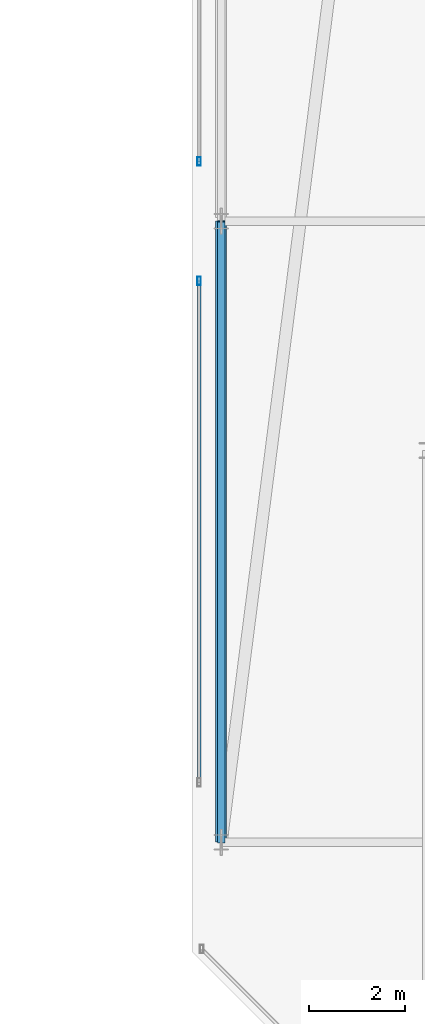
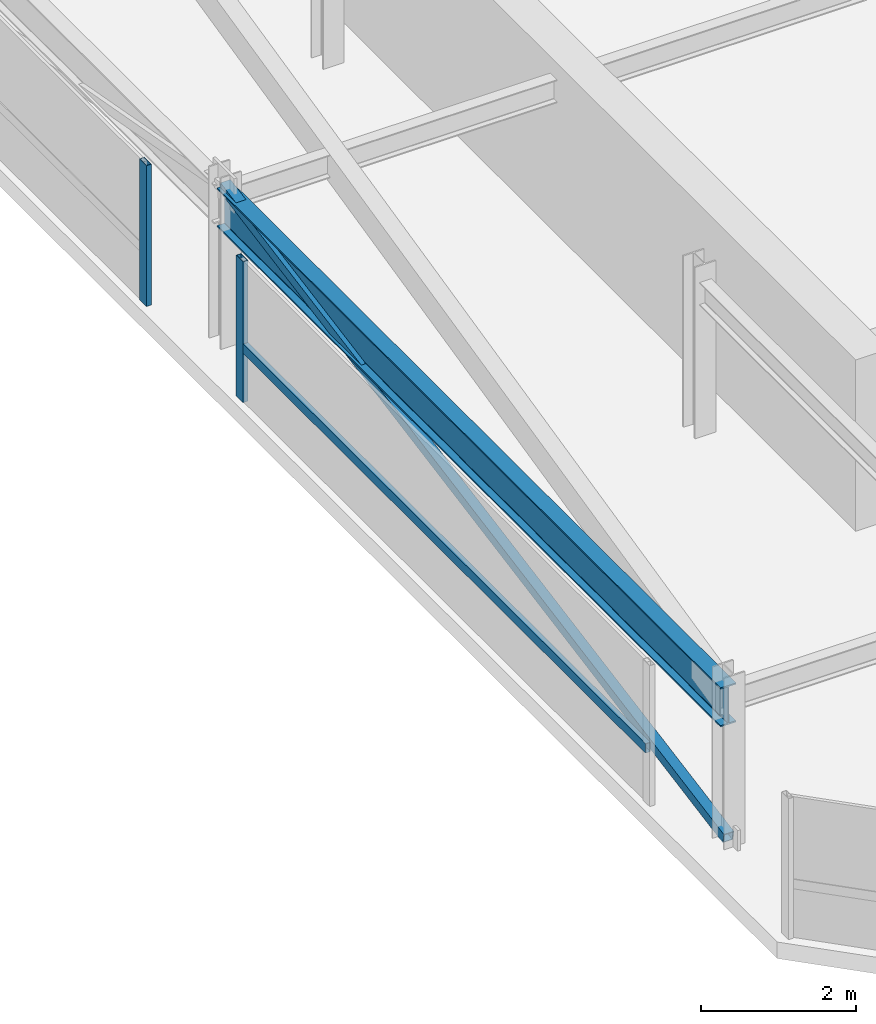
# One storey, part 22 of 44: 4 members, 1 beam, 2 elements without a shape of their own.
"""IFC4 building model written with IfcOpenShell, lengths in metres."""

from ifc_helpers import new_model, si_unit, direction, frame, origin, origin_2d, place, context, subcontext, project, spatial, hollow_rectangle, i_section, extrude, material, material_profile, profile_set, type_object, element, aggregate, save


model = new_model("IFC4")

# Units and contexts
model_context = context("Model", 3, precision=1e-05, world=origin(), true_north=direction((0.0, 1.0)))
body_context = subcontext(model_context, "Body", "Model", "MODEL_VIEW")
ifc_project = project(units=[si_unit("LENGTHUNIT", "METRE"), si_unit("AREAUNIT", "SQUARE_METRE"), si_unit("VOLUMEUNIT", "CUBIC_METRE"), si_unit("PLANEANGLEUNIT", "RADIAN"), si_unit("MASSUNIT", "GRAM", prefix="KILO")], contexts=[model_context])

# Site, building, storey
site_placement = place(None, origin())
site = spatial("IfcSite", under=ifc_project, at=site_placement, CompositionType="ELEMENT")
building_placement = place(site_placement, origin())
building = spatial("IfcBuilding", under=site, at=building_placement, Name="Thornwick Lancets Civic Towers", CompositionType="ELEMENT")
storey_placement = place(building_placement, frame((0.0, 0.0, 294.89990234375)))
storey = spatial("IfcBuildingStorey", under=building, at=storey_placement, Name="C06", CompositionType="ELEMENT", Elevation=294.89990234375)

# Beam
ifc_material_1 = material(Name="Steel S355JR", Category="steel")
ifc_material_profile_1 = material_profile(ifc_material_1, i_section(OverallWidth=0.230224609375, OverallDepth=0.6171875, WebThickness=0.01318359375, FlangeThickness=0.022216796875, FilletRadius=0.0126953125, at=origin_2d()), Name="UKB 610x229x140")
ifc_profile_set_1 = profile_set([ifc_material_profile_1], Name="Steel S355JR")
beam_type = type_object("IfcBeamType", Name="BM_GIRD_610_140", PredefinedType="BEAM", material=ifc_profile_set_1)
beam_placement = place(storey_placement, frame((71.199951171875, 14.0, 2.131591796875), z_axis=(0.0, 1.0, 0.0), x_axis=(-1.0, 0.0, 0.0)))
element("IfcBeam", 1, at=beam_placement, inside=storey, type_object=beam_type, Name="BM-SPINE-C06-B-6-7", PredefinedType="BEAM", context=body_context, shape_type="SweptSolid", body=[
    extrude(i_section(OverallWidth=0.230224609375, OverallDepth=0.6171875, WebThickness=0.01318359375, FlangeThickness=0.022216796875, FilletRadius=0.0126953125, at=origin_2d()), origin(), (0.0, 0.0, 1.0), 13.0),
])

# Curtain wall, member
ifc_material_2 = material(Name="Crown ring acoustic-louvre and glazing screen wall", Category="glass")
curtain_wall_type = type_object("IfcCurtainWallType", Name="CW_SYS_07", PredefinedType="NOTDEFINED", material=ifc_material_2)
curtain_wall_1_placement = place(storey_placement, origin())
curtain_wall_1 = element("IfcCurtainWall", 2, at=curtain_wall_1_placement, inside=storey, type_object=curtain_wall_type, Name="C06 Curtain Wall CW-C06-B-E6-S2", PredefinedType="NOTDEFINED")
ifc_material_3 = material(Name="Thermally broken bronze aluminium S355", Category="steel")
ifc_material_profile_2 = material_profile(ifc_material_3, hollow_rectangle(XDim=0.074951171875, YDim=0.179931640625, WallThickness=0.006103515625, at=origin_2d()), Name="RHS 180x75x6")
ifc_profile_set_2 = profile_set([ifc_material_profile_2], Name="Thermally broken bronze aluminium S355")
member_type_1 = type_object("IfcMemberType", Name="CW_MUL_180", PredefinedType="MULLION", material=ifc_profile_set_2)
member_1_placement = place(storey_placement, frame((70.7353515625, 28.25, 0.0), z_axis=(0.0, 0.0, 1.0), x_axis=(1.0, 0.0, 0.0)))
member_1 = element("IfcMember", 3, at=member_1_placement, type_object=member_type_1, Name="CW-C06-B-E6-S2 Mullion 1", PredefinedType="MULLION", context=body_context, shape_type="SweptSolid", body=[
    extrude(hollow_rectangle(XDim=0.074951171875, YDim=0.179931640625, WallThickness=0.006103515625, at=origin_2d()), origin(), (0.0, 0.0, 1.0), 2.22021484375),
])
aggregate(curtain_wall_1, [member_1])

# Curtain wall, members
curtain_wall_2_placement = place(storey_placement, origin())
curtain_wall_2 = element("IfcCurtainWall", 4, at=curtain_wall_2_placement, inside=storey, type_object=curtain_wall_type, Name="C06 Curtain Wall CW-C06-B-E6-S3", PredefinedType="NOTDEFINED")
member_2_placement = place(storey_placement, frame((70.7353515625, 25.75, 0.0), z_axis=(0.0, 0.0, 1.0), x_axis=(1.0, 0.0, 0.0)))
member_2 = element("IfcMember", 5, at=member_2_placement, type_object=member_type_1, Name="CW-C06-B-E6-S3 Mullion 0", PredefinedType="MULLION", context=body_context, shape_type="SweptSolid", body=[
    extrude(hollow_rectangle(XDim=0.074951171875, YDim=0.179931640625, WallThickness=0.006103515625, at=origin_2d()), origin(), (0.0, 0.0, 1.0), 2.22021484375),
])
ifc_material_profile_3 = material_profile(ifc_material_3, hollow_rectangle(XDim=0.074951171875, YDim=0.14990234375, WallThickness=0.0048828125, at=origin_2d()), Name="RHS 150x75x5")
ifc_profile_set_3 = profile_set([ifc_material_profile_3], Name="Thermally broken bronze aluminium S355")
member_type_2 = type_object("IfcMemberType", Name="CW_TRN_150", PredefinedType="USERDEFINED", material=ifc_profile_set_3)
member_3_placement = place(storey_placement, frame((70.7353515625, 25.72998046875, 0.85009765625), z_axis=(0.0, -1.0, 0.0), x_axis=(1.0, 0.0, 0.0)))
member_3 = element("IfcMember", 6, at=member_3_placement, type_object=member_type_2, Name="CW-C06-B-E6-S3 Transom 0", ObjectType="TRANSOM", PredefinedType="USERDEFINED", context=body_context, shape_type="SweptSolid", body=[
    extrude(hollow_rectangle(XDim=0.074951171875, YDim=0.14990234375, WallThickness=0.0048828125, at=origin_2d()), origin(), (0.0, 0.0, 1.0), 10.4599609375),
])
aggregate(curtain_wall_2, [member_2, member_3])

# Member
ifc_material_profile_4 = material_profile(ifc_material_1, hollow_rectangle(XDim=0.14990234375, YDim=0.14990234375, WallThickness=0.010009765625, at=origin_2d()), Name="SHS 150x150x10")
ifc_profile_set_4 = profile_set([ifc_material_profile_4], Name="Steel S355JR")
member_type_3 = type_object("IfcMemberType", Name="MEM_CROWN_SHS150", PredefinedType="BRACE", material=ifc_profile_set_4)
member_4_placement = place(storey_placement, frame((71.199951171875, 14.0, 0.050048828125), z_axis=(0.0, 0.983515136313, 0.180825818519), x_axis=(-1.0, 0.0, 0.0)))
element("IfcMember", 7, at=member_4_placement, inside=storey, type_object=member_type_3, Name="C06 Crown Ring Lancet Rib B-S2-L", PredefinedType="BRACE", context=body_context, shape_type="SweptSolid", body=[
    extrude(hollow_rectangle(XDim=0.14990234375, YDim=0.14990234375, WallThickness=0.010009765625, at=origin_2d()), origin(), (0.0, 0.0, 1.0), 13.2177734375),
])

save(model, "model.ifc")
